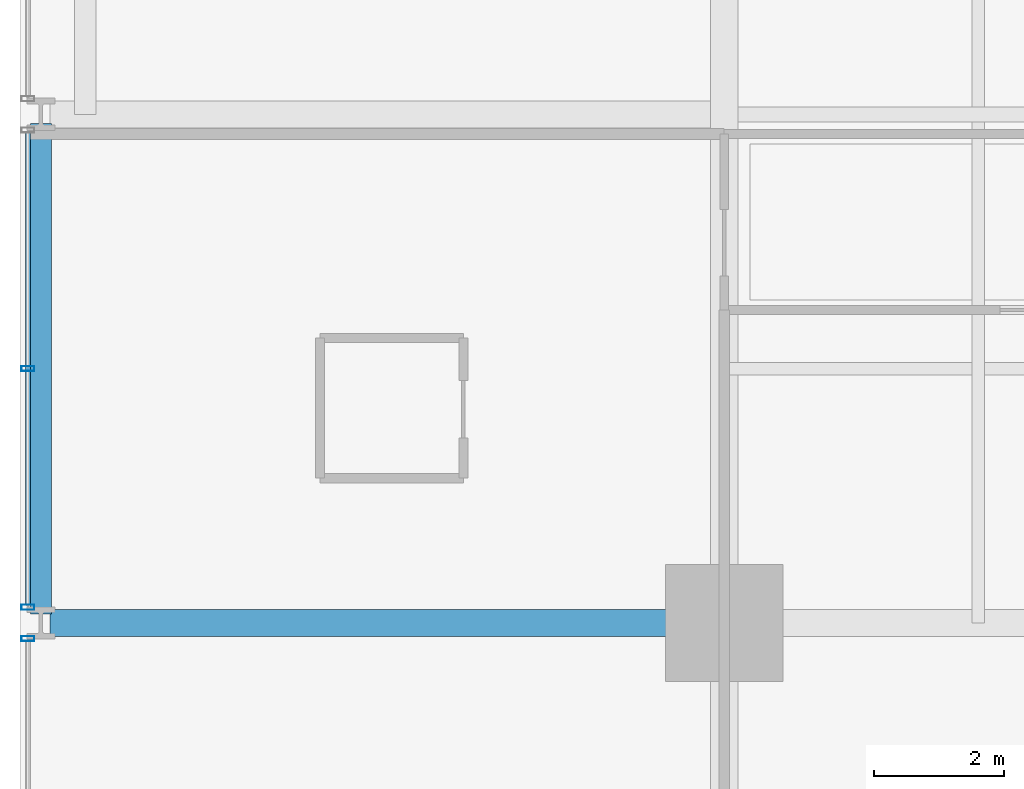
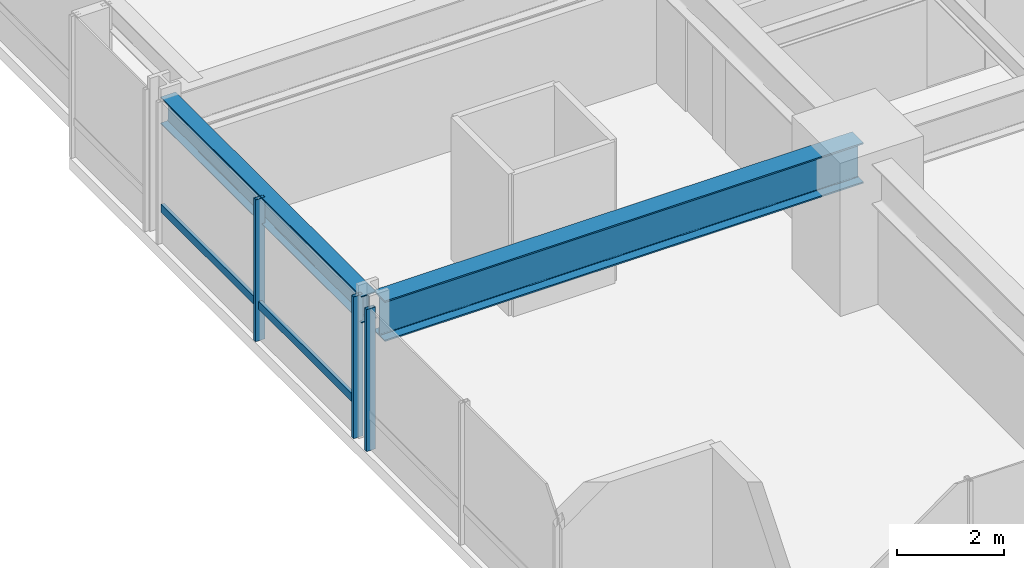
# One storey, part 4 of 38: 4 members, 2 beams, 2 elements without a shape of their own.
"""IFC4 building model written with IfcOpenShell, lengths in metres."""

from ifc_helpers import new_model, si_unit, direction, frame, origin, origin_2d, place, context, subcontext, project, spatial, hollow_rectangle, i_section, extrude, material, layer, layer_set, material_profile, profile_set, type_object, element, aggregate, save


model = new_model("IFC4")

# Units and contexts
model_context = context("Model", 3, precision=1e-05, world=origin(), true_north=direction((0.0, 1.0)))
body_context = subcontext(model_context, "Body", "Model", "MODEL_VIEW")
ifc_project = project(units=[si_unit("LENGTHUNIT", "METRE"), si_unit("AREAUNIT", "SQUARE_METRE"), si_unit("VOLUMEUNIT", "CUBIC_METRE"), si_unit("PLANEANGLEUNIT", "RADIAN"), si_unit("MASSUNIT", "GRAM", prefix="KILO")], contexts=[model_context])

# Site, building, storey
site_placement = place(None, origin())
site = spatial("IfcSite", under=ifc_project, at=site_placement, CompositionType="ELEMENT")
building_placement = place(site_placement, origin())
building = spatial("IfcBuilding", under=site, at=building_placement, Name="Drelvath Grand Hotel", CompositionType="ELEMENT")
storey_placement = place(building_placement, frame((0.0, 0.0, 50.699951171875)))
storey = spatial("IfcBuildingStorey", under=building, at=storey_placement, Name="L11", CompositionType="ELEMENT", Elevation=50.699951171875)

# Curtain wall, member
ifc_material_1 = material(Name="Warm Bronze Anodised Aluminium Frame", Category="aluminium")
ifc_layer = layer(ifc_material_1, 0.199951171875)
ifc_layer_set = layer_set([ifc_layer], Name="Warm Bronze Anodised Aluminium Frame")
curtain_wall_type = type_object("IfcCurtainWallType", Name="Stick Curtain Wall CW-02 Warm Bronze Low-Rise", PredefinedType="NOTDEFINED", material=ifc_layer_set)
curtain_wall_1_placement = place(storey_placement, origin())
curtain_wall_1 = element("IfcCurtainWall", 1, at=curtain_wall_1_placement, inside=storey, type_object=curtain_wall_type, Name="L11 CW-02 Curtain Wall CW02-L11-WS2", PredefinedType="NOTDEFINED")
ifc_material_profile_1 = material_profile(ifc_material_1, hollow_rectangle(XDim=0.074951171875, YDim=0.179931640625, WallThickness=0.0048828125, at=origin_2d()), Name="HSS180X75X5")
ifc_profile_set_1 = profile_set([ifc_material_profile_1], Name="Warm Bronze Anodised Aluminium Frame")
member_type_1 = type_object("IfcMemberType", Name="Curtain Wall Horizontal Transom CW-02 HSS180X75X5", PredefinedType="USERDEFINED", material=ifc_profile_set_1)
member_1_placement = place(storey_placement, frame((-26.8798828125, 11.080810546875, 0.81005859375), z_axis=(0.0, 1.0, 0.0), x_axis=(-1.0, 0.0, 0.0)))
member_1 = element("IfcMember", 2, at=member_1_placement, type_object=member_type_1, Name="CW02-L11-WS2 Sill Transom", ObjectType="TRANSOM", PredefinedType="USERDEFINED", context=body_context, shape_type="SweptSolid", body=[
    extrude(hollow_rectangle(XDim=0.074951171875, YDim=0.179931640625, WallThickness=0.0048828125, at=origin_2d()), origin(), (0.0, 0.0, 1.0), 7.23828125),
])

curtain_wall_2_placement = place(storey_placement, origin())
curtain_wall_2 = element("IfcCurtainWall", 3, at=curtain_wall_2_placement, inside=storey, type_object=curtain_wall_type, Name="L11 CW-02 Curtain Wall CW02-L11-WS1", PredefinedType="NOTDEFINED")
ifc_material_profile_2 = material_profile(ifc_material_1, hollow_rectangle(XDim=0.080078125, YDim=0.199951171875, WallThickness=0.0048828125, at=origin_2d()), Name="HSS200X80X5")
ifc_profile_set_2 = profile_set([ifc_material_profile_2], Name="Warm Bronze Anodised Aluminium Frame")
member_type_2 = type_object("IfcMemberType", Name="Curtain Wall Vertical Mullion CW-02 HSS200X80X5", PredefinedType="MULLION", material=ifc_profile_set_2)
member_2_placement = place(storey_placement, frame((-26.8798828125, 10.55908203125, 0.0), z_axis=(0.0, 0.0, 1.0), x_axis=(0.0, 1.0, 0.0)))
member_2 = element("IfcMember", 4, at=member_2_placement, type_object=member_type_2, Name="CW02-L11-WS1 Mullion 3", PredefinedType="MULLION", context=body_context, shape_type="SweptSolid", body=[
    extrude(hollow_rectangle(XDim=0.080078125, YDim=0.199951171875, WallThickness=0.0048828125, at=origin_2d()), origin(), (0.0, 0.0, 1.0), 3.239990234375),
])
aggregate(curtain_wall_2, [member_2])

# Member
member_3_placement = place(storey_placement, frame((-26.8798828125, 11.041015625, 0.0), z_axis=(0.0, 0.0, 1.0), x_axis=(0.0, 1.0, 0.0)))
member_3 = element("IfcMember", 5, at=member_3_placement, type_object=member_type_2, Name="CW02-L11-WS2 Mullion 1", PredefinedType="MULLION", context=body_context, shape_type="SweptSolid", body=[
    extrude(hollow_rectangle(XDim=0.080078125, YDim=0.199951171875, WallThickness=0.0048828125, at=origin_2d()), origin(), (0.0, 0.0, 1.0), 3.239990234375),
])

member_4_placement = place(storey_placement, frame((-26.8798828125, 14.699951171875, 0.0), z_axis=(0.0, 0.0, 1.0), x_axis=(0.0, 1.0, 0.0)))
member_4 = element("IfcMember", 6, at=member_4_placement, type_object=member_type_2, Name="CW02-L11-WS2 Mullion 2", PredefinedType="MULLION", context=body_context, shape_type="SweptSolid", body=[
    extrude(hollow_rectangle(XDim=0.080078125, YDim=0.199951171875, WallThickness=0.0048828125, at=origin_2d()), origin(), (0.0, 0.0, 1.0), 3.239990234375),
])

aggregate(curtain_wall_1, [member_3, member_4, member_1])

# Beams
ifc_material_2 = material(Name="Steel ASTM A992 Gr 50", Category="steel")
ifc_material_profile_3 = material_profile(ifc_material_2, i_section(OverallWidth=0.323974609375, OverallDepth=0.611083984375, WebThickness=0.0126953125, FlangeThickness=0.01904296875, FilletRadius=0.02197265625, at=origin_2d()), Name="W24X104")
ifc_profile_set_3 = profile_set([ifc_material_profile_3], Name="Steel ASTM A992 Gr 50")
beam_type_1 = type_object("IfcBeamType", Name="Perimeter Spandrel Beam W24X104", PredefinedType="SPANDREL", material=ifc_profile_set_3)
beam_1_placement = place(storey_placement, frame((-26.679931640625, 10.93994140625, 2.9345703125), z_axis=(0.0, 1.0, 0.0), x_axis=(-1.0, 0.0, 0.0)))
element("IfcBeam", 7, at=beam_1_placement, inside=storey, type_object=beam_type_1, Name="L11 Spandrel West S", PredefinedType="SPANDREL", context=body_context, shape_type="SweptSolid", body=[
    extrude(i_section(OverallWidth=0.323974609375, OverallDepth=0.611083984375, WebThickness=0.0126953125, FlangeThickness=0.01904296875, FilletRadius=0.02197265625, at=origin_2d()), origin(), (0.0, 0.0, 1.0), 7.52001953125),
])
ifc_material_profile_4 = material_profile(ifc_material_2, i_section(OverallWidth=0.418212890625, OverallDepth=0.926513671875, WebThickness=0.019287109375, FlangeThickness=0.031982421875, FilletRadius=0.028076171875, at=origin_2d()), Name="W36X231")
ifc_profile_set_4 = profile_set([ifc_material_profile_4], Name="Steel ASTM A992 Gr 50")
beam_type_2 = type_object("IfcBeamType", Name="Primary Floor Girder W36X231", PredefinedType="BEAM", material=ifc_profile_set_4)
beam_2_placement = place(storey_placement, frame((-26.5400390625, 10.800048828125, 2.77685546875), z_axis=(1.0, 0.0, 0.0), x_axis=(0.0, 1.0, 0.0)))
element("IfcBeam", 8, at=beam_2_placement, inside=storey, type_object=beam_type_2, Name="L11 West Grid Girder C", PredefinedType="BEAM", context=body_context, shape_type="SweptSolid", body=[
    extrude(i_section(OverallWidth=0.418212890625, OverallDepth=0.926513671875, WebThickness=0.019287109375, FlangeThickness=0.031982421875, FilletRadius=0.028076171875, at=origin_2d()), origin(), (0.0, 0.0, 1.0), 10.340087890625),
])

save(model, "model.ifc")
